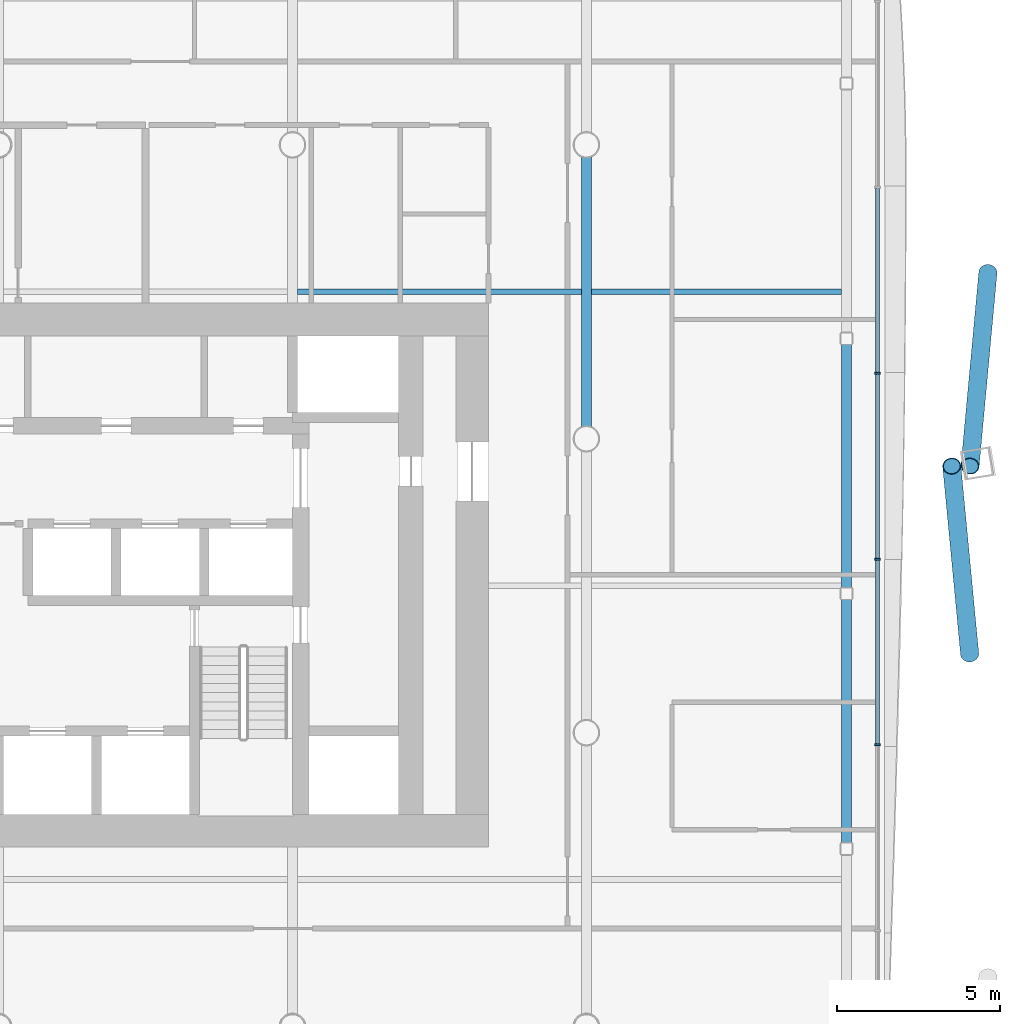
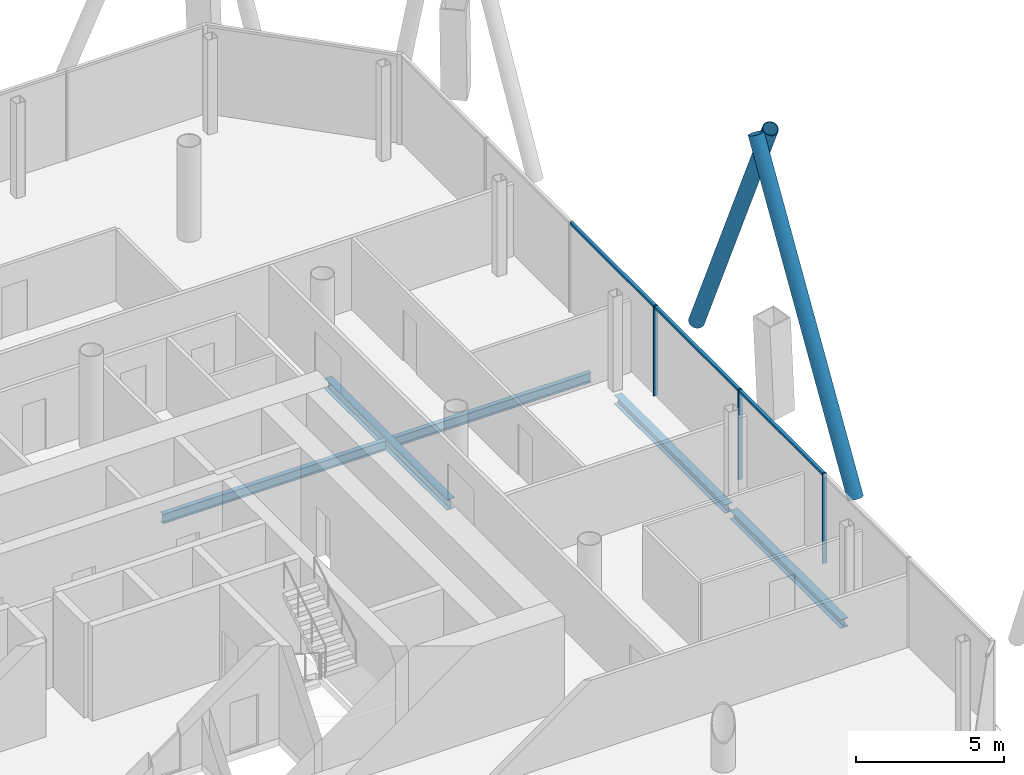
# One storey, part 8 of 22: 8 members, 5 beams, 1 element without a shape of its own.
"""IFC4 building model written with IfcOpenShell, lengths in metres."""

from ifc_helpers import new_model, si_unit, direction, frame, origin, origin_2d, place, context, subcontext, project, spatial, rectangle, hollow_circle, i_section, extrude, material, material_profile, profile_set, type_object, element, aggregate, save


model = new_model("IFC4")

# Units and contexts
model_context = context("Model", 3, precision=1e-05, world=origin(), true_north=direction((0.0, 1.0)))
body_context = subcontext(model_context, "Body", "Model", "MODEL_VIEW")
ifc_project = project(units=[si_unit("LENGTHUNIT", "METRE"), si_unit("AREAUNIT", "SQUARE_METRE"), si_unit("VOLUMEUNIT", "CUBIC_METRE"), si_unit("PLANEANGLEUNIT", "RADIAN"), si_unit("MASSUNIT", "GRAM", prefix="KILO")], contexts=[model_context])

# Site, building, storey
site_placement = place(None, origin())
site = spatial("IfcSite", under=ifc_project, at=site_placement, CompositionType="ELEMENT")
building_placement = place(site_placement, origin())
building = spatial("IfcBuilding", under=site, at=building_placement, Name="Tskaro Facet Tower", CompositionType="ELEMENT")
storey_placement = place(building_placement, frame((0.0, 0.0, 97.199951171875)))
storey = spatial("IfcBuildingStorey", under=building, at=storey_placement, Name="L23", CompositionType="ELEMENT", Elevation=97.199951171875)

# Members
ifc_material_1 = material(Name="Steel S355J2H", Category="steel")
ifc_material_profile_1 = material_profile(ifc_material_1, hollow_circle(Radius=0.279541015625, WallThickness=0.02490234375, at=origin_2d()), Name="CHS 559x25")
ifc_profile_set_1 = profile_set([ifc_material_profile_1], Name="Steel S355J2H")
member_type_1 = type_object("IfcMemberType", Name="CHS 559x25 brace", PredefinedType="BRACE", material=ifc_profile_set_1)
member_1_placement = place(storey_placement, frame((29.735595703125, -6.581787109375, 0.0), z_axis=(-0.042013200246, 0.440361966592, 0.896836790829), x_axis=(-0.995479677601, -0.09497479394, 0.0)))
element("IfcMember", 1, at=member_1_placement, inside=storey, type_object=member_type_1, Name="CHS 559x25 XB04A/2", PredefinedType="BRACE", context=body_context, shape_type="SweptSolid", body=[
    extrude(hollow_circle(Radius=0.279541015625, WallThickness=0.02490234375, at=origin_2d()), origin(), (0.0, 0.0, 1.0), 13.0458984375),
])
member_2_placement = place(storey_placement, frame((30.29443359375, 5.0869140625, 0.0), z_axis=(-0.04173924051, -0.451319488299, 0.891385749989), x_axis=(0.995750714897, -0.092089705087, 0.0)))
element("IfcMember", 2, at=member_2_placement, inside=storey, type_object=member_type_1, Name="CHS 559x25 XB05B/2", PredefinedType="BRACE", context=body_context, shape_type="SweptSolid", body=[
    extrude(hollow_circle(Radius=0.279541015625, WallThickness=0.02490234375, at=origin_2d()), origin(), (0.0, 0.0, 1.0), 13.12548828125),
])

# Curtain wall, members
ifc_material_2 = material(Name="Bronze anodised aluminium 6063-T6", Category="aluminium")
curtain_wall_type = type_object("IfcCurtainWallType", Name="Bronze office curtain wall (FW1)", PredefinedType="NOTDEFINED", material=ifc_material_2)
curtain_wall_placement = place(storey_placement, origin())
curtain_wall = element("IfcCurtainWall", 3, at=curtain_wall_placement, inside=storey, type_object=curtain_wall_type, Name="FW1 east facet L23", PredefinedType="NOTDEFINED")
ifc_material_profile_2 = material_profile(ifc_material_2, rectangle(XDim=0.06005859375, YDim=0.159912109375, at=origin_2d()), Name="Mullion 60x160")
ifc_profile_set_2 = profile_set([ifc_material_profile_2], Name="Bronze anodised aluminium 6063-T6")
member_type_2 = type_object("IfcMemberType", Name="FW1 bronze mullion 60x160", PredefinedType="MULLION", material=ifc_profile_set_2)
member_3_placement = place(storey_placement, frame((26.9150390625, -9.3740234375, 0.0), z_axis=(0.0, 0.0, 1.0), x_axis=(0.0, 1.0, 0.0)))
member_3 = element("IfcMember", 4, at=member_3_placement, type_object=member_type_2, Name="FW1 east mullion 2", PredefinedType="MULLION", context=body_context, shape_type="SweptSolid", body=[
    extrude(rectangle(XDim=0.06005859375, YDim=0.159912109375, at=origin_2d()), origin(), (0.0, 0.0, 1.0), 3.699951171875),
])
member_4_placement = place(storey_placement, frame((26.9150390625, -3.6826171875, 0.0), z_axis=(0.0, 0.0, 1.0), x_axis=(0.0, 1.0, 0.0)))
member_4 = element("IfcMember", 5, at=member_4_placement, type_object=member_type_2, Name="FW1 east mullion 3", PredefinedType="MULLION", context=body_context, shape_type="SweptSolid", body=[
    extrude(rectangle(XDim=0.06005859375, YDim=0.159912109375, at=origin_2d()), origin(), (0.0, 0.0, 1.0), 3.699951171875),
])
member_5_placement = place(storey_placement, frame((26.9150390625, 2.0087890625, 0.0), z_axis=(0.0, 0.0, 1.0), x_axis=(0.0, 1.0, 0.0)))
member_5 = element("IfcMember", 6, at=member_5_placement, type_object=member_type_2, Name="FW1 east mullion 4", PredefinedType="MULLION", context=body_context, shape_type="SweptSolid", body=[
    extrude(rectangle(XDim=0.06005859375, YDim=0.159912109375, at=origin_2d()), origin(), (0.0, 0.0, 1.0), 3.699951171875),
])
ifc_material_profile_3 = material_profile(ifc_material_2, rectangle(XDim=0.1201171875, YDim=0.10009765625, at=origin_2d()), Name="Transom 120x100")
ifc_profile_set_3 = profile_set([ifc_material_profile_3], Name="Bronze anodised aluminium 6063-T6")
member_type_3 = type_object("IfcMemberType", Name="FW1 bronze transom 120x100", PredefinedType="USERDEFINED", material=ifc_profile_set_3)
member_6_placement = place(storey_placement, frame((26.9150390625, -9.34423828125, 3.650146484375), z_axis=(0.0, 1.0, 0.0), x_axis=(-1.0, 0.0, 0.0)))
member_6 = element("IfcMember", 7, at=member_6_placement, type_object=member_type_3, Name="FW1 east transom 3.1", ObjectType="TRANSOM", PredefinedType="USERDEFINED", context=body_context, shape_type="SweptSolid", body=[
    extrude(rectangle(XDim=0.1201171875, YDim=0.10009765625, at=origin_2d()), origin(), (0.0, 0.0, 1.0), 5.631591796875),
])
member_7_placement = place(storey_placement, frame((26.9150390625, -3.65283203125, 3.650146484375), z_axis=(0.0, 1.0, 0.0), x_axis=(-1.0, 0.0, 0.0)))
member_7 = element("IfcMember", 8, at=member_7_placement, type_object=member_type_3, Name="FW1 east transom 4.1", ObjectType="TRANSOM", PredefinedType="USERDEFINED", context=body_context, shape_type="SweptSolid", body=[
    extrude(rectangle(XDim=0.1201171875, YDim=0.10009765625, at=origin_2d()), origin(), (0.0, 0.0, 1.0), 5.631591796875),
])
member_8_placement = place(storey_placement, frame((26.9150390625, 2.038818359375, 3.650146484375), z_axis=(0.0, 1.0, 0.0), x_axis=(-1.0, 0.0, 0.0)))
member_8 = element("IfcMember", 9, at=member_8_placement, type_object=member_type_3, Name="FW1 east transom 5.1", ObjectType="TRANSOM", PredefinedType="USERDEFINED", context=body_context, shape_type="SweptSolid", body=[
    extrude(rectangle(XDim=0.1201171875, YDim=0.10009765625, at=origin_2d()), origin(), (0.0, 0.0, 1.0), 5.63134765625),
])
aggregate(curtain_wall, [member_3, member_4, member_5, member_6, member_7, member_8])

# Beams
ifc_material_3 = material(Name="Steel S355J2", Category="steel")
ifc_material_profile_4 = material_profile(ifc_material_3, i_section(OverallWidth=0.300048828125, OverallDepth=0.360107421875, WebThickness=0.012451171875, FlangeThickness=0.0224609375, FilletRadius=0.027099609375, at=origin_2d()), Name="HE 360 B")
ifc_profile_set_4 = profile_set([ifc_material_profile_4], Name="Steel S355J2")
beam_type_1 = type_object("IfcBeamType", Name="HE 360 B ring beam", PredefinedType="BEAM", material=ifc_profile_set_4)
beam_1_placement = place(storey_placement, frame((25.965087890625, -12.373046875, -0.320068359375), z_axis=(0.0, 1.0, 0.0), x_axis=(-1.0, 0.0, 0.0)))
element("IfcBeam", 10, at=beam_1_placement, inside=storey, type_object=beam_type_1, Name="HE 360 B EB8-2", PredefinedType="BEAM", context=body_context, shape_type="SweptSolid", body=[
    extrude(i_section(OverallWidth=0.300048828125, OverallDepth=0.360107421875, WebThickness=0.012451171875, FlangeThickness=0.0224609375, FilletRadius=0.027099609375, at=origin_2d()), origin(), (0.0, 0.0, 1.0), 7.450927734375),
])
beam_2_placement = place(storey_placement, frame((25.965087890625, -4.56201171875, -0.320068359375), z_axis=(0.0, 1.0, 0.0), x_axis=(-1.0, 0.0, 0.0)))
element("IfcBeam", 11, at=beam_2_placement, inside=storey, type_object=beam_type_1, Name="HE 360 B EB9-2", PredefinedType="BEAM", context=body_context, shape_type="SweptSolid", body=[
    extrude(i_section(OverallWidth=0.300048828125, OverallDepth=0.360107421875, WebThickness=0.012451171875, FlangeThickness=0.0224609375, FilletRadius=0.027099609375, at=origin_2d()), origin(), (0.0, 0.0, 1.0), 7.449951171875),
])
ifc_material_profile_5 = material_profile(ifc_material_3, i_section(OverallWidth=0.300048828125, OverallDepth=0.43994140625, WebThickness=0.011474609375, FlangeThickness=0.02099609375, FilletRadius=0.027099609375, at=origin_2d()), Name="HE 450 A")
ifc_profile_set_5 = profile_set([ifc_material_profile_5], Name="Steel S355J2")
beam_type_2 = type_object("IfcBeamType", Name="HE 450 A girder", PredefinedType="BEAM", material=ifc_profile_set_5)
beam_3_placement = place(storey_placement, frame((18.0, 0.37646484375, -0.35986328125), z_axis=(0.0, 1.0, 0.0), x_axis=(-1.0, 0.0, 0.0)))
element("IfcBeam", 12, at=beam_3_placement, inside=storey, type_object=beam_type_2, Name="HE 450 A GB6-4-2", PredefinedType="BEAM", context=body_context, shape_type="SweptSolid", body=[
    extrude(i_section(OverallWidth=0.300048828125, OverallDepth=0.43994140625, WebThickness=0.011474609375, FlangeThickness=0.02099609375, FilletRadius=0.027099609375, at=origin_2d()), origin(), (0.0, 0.0, 1.0), 8.2470703125),
])
ifc_material_profile_6 = material_profile(ifc_material_3, i_section(OverallWidth=0.179931640625, OverallDepth=0.39990234375, WebThickness=0.008544921875, FlangeThickness=0.013427734375, FilletRadius=0.02099609375, at=origin_2d()), Name="IPE 400")
ifc_profile_set_6 = profile_set([ifc_material_profile_6], Name="Steel S355J2")
beam_type_3 = type_object("IfcBeamType", Name="IPE 400 secondary beam", PredefinedType="BEAM", material=ifc_profile_set_6)
beam_4_placement = place(storey_placement, frame((9.14990234375, 4.5, -0.33984375), z_axis=(1.0, 0.0, 0.0), x_axis=(0.0, 1.0, 0.0)))
element("IfcBeam", 13, at=beam_4_placement, inside=storey, type_object=beam_type_3, Name="IPE 400 SB4a-4-2", PredefinedType="BEAM", context=body_context, shape_type="SweptSolid", body=[
    extrude(i_section(OverallWidth=0.179931640625, OverallDepth=0.39990234375, WebThickness=0.008544921875, FlangeThickness=0.013427734375, FilletRadius=0.02099609375, at=origin_2d()), origin(), (0.0, 0.0, 1.0), 8.7001953125),
])
beam_5_placement = place(storey_placement, frame((18.14990234375, 4.5, -0.33984375), z_axis=(1.0, 0.0, 0.0), x_axis=(0.0, 1.0, 0.0)))
element("IfcBeam", 14, at=beam_5_placement, inside=storey, type_object=beam_type_3, Name="IPE 400 SB4a-5-2", PredefinedType="BEAM", context=body_context, shape_type="SweptSolid", body=[
    extrude(i_section(OverallWidth=0.179931640625, OverallDepth=0.39990234375, WebThickness=0.008544921875, FlangeThickness=0.013427734375, FilletRadius=0.02099609375, at=origin_2d()), origin(), (0.0, 0.0, 1.0), 7.6650390625),
])

save(model, "model.ifc")
